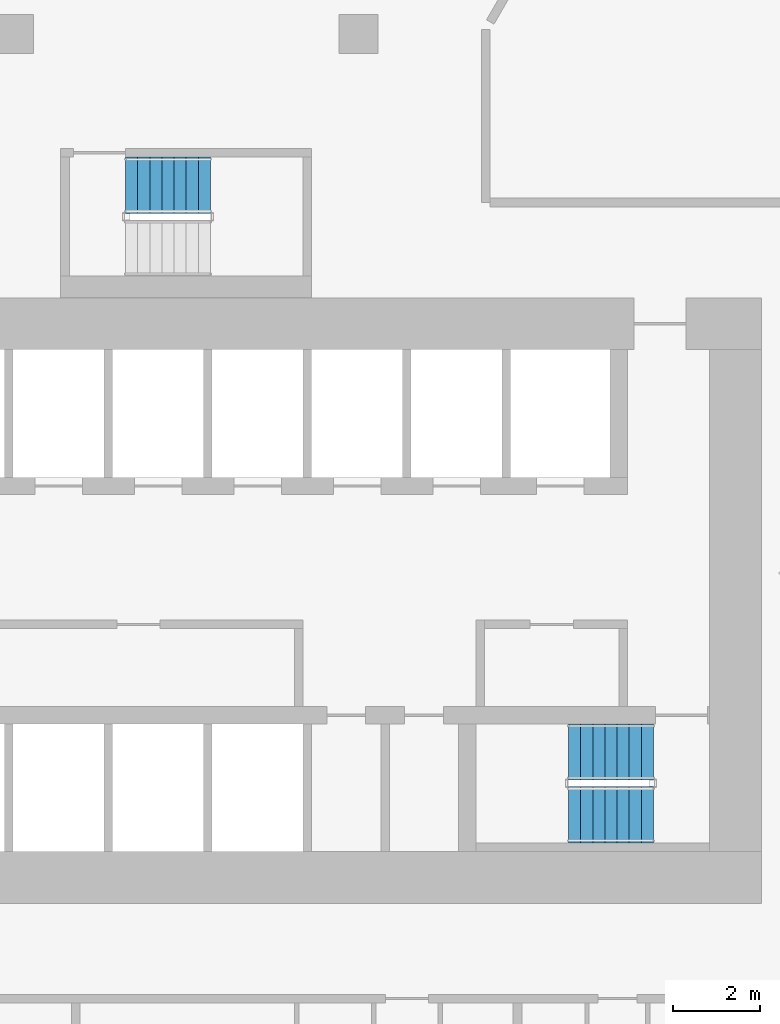
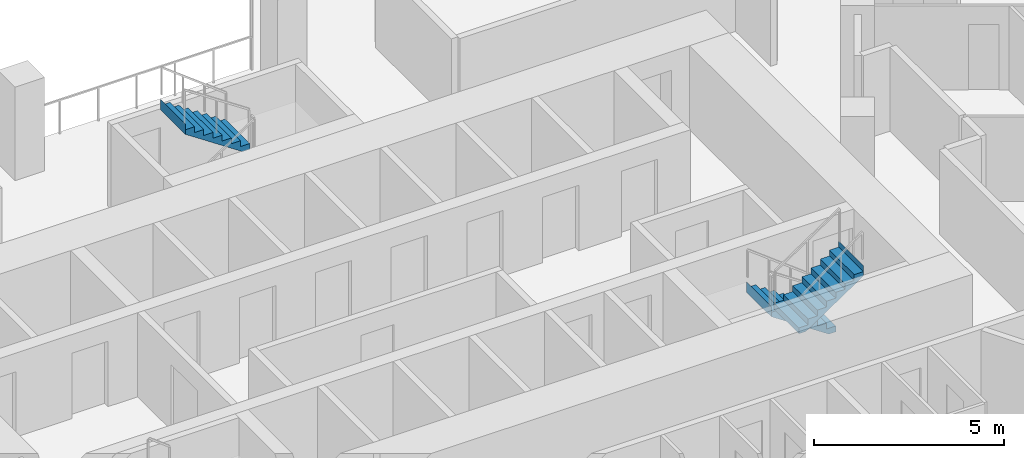
# One storey, part 12 of 16: 3 stair flights, 2 elements without a shape of their own.
"""IFC4 building model written with IfcOpenShell, lengths in metres."""

from ifc_helpers import new_model, si_unit, direction, frame, origin, place, context, subcontext, project, spatial, triangles, material, type_object, element, aggregate, save


model = new_model("IFC4")

# Units and contexts
model_context = context("Model", 3, precision=1e-05, world=origin(), true_north=direction((0.0, 1.0)))
body_context = subcontext(model_context, "Body", "Model", "MODEL_VIEW")
ifc_project = project(units=[si_unit("LENGTHUNIT", "METRE"), si_unit("AREAUNIT", "SQUARE_METRE"), si_unit("VOLUMEUNIT", "CUBIC_METRE"), si_unit("PLANEANGLEUNIT", "RADIAN"), si_unit("MASSUNIT", "GRAM", prefix="KILO")], contexts=[model_context])

# Site, building, storey
site_placement = place(None, origin())
site = spatial("IfcSite", under=ifc_project, at=site_placement, CompositionType="ELEMENT")
building_placement = place(site_placement, origin())
building = spatial("IfcBuilding", under=site, at=building_placement, Name="Beryl Residences", CompositionType="ELEMENT")
storey_placement = place(building_placement, frame((0.0, 0.0, 50.39990234375)))
storey = spatial("IfcBuildingStorey", under=building, at=storey_placement, Name="L15", CompositionType="ELEMENT", Elevation=50.39990234375)

# Stair, stair flights
ifc_material_1 = material(Name="Concrete C40/50", Category="concrete")
stair_type = type_object("IfcStairType", Name="ST1 protected exit stair, half-turn, 1300 mm flights", PredefinedType="HALF_TURN_STAIR", material=ifc_material_1)
stair_1_placement = place(storey_placement, origin())
stair_1 = element("IfcStair", 1, at=stair_1_placement, inside=storey, type_object=stair_type, Name="L15 PROTECTED EXIT STAIR ST-3", PredefinedType="HALF_TURN_STAIR")
ifc_material_2 = material(Name="Concrete C40/50", Category="concrete")
stair_flight_type = type_object("IfcStairFlightType", Name="SF1 stair flight 1300 mm", PredefinedType="STRAIGHT", material=ifc_material_2)
stair_flight_1_placement = place(storey_placement, frame((10.800048828125, -15.5, 0.0), z_axis=(0.0, 0.0, 1.0), x_axis=(-1.0, 0.0, 0.0)))
stair_flight_1 = element("IfcStairFlight", 2, at=stair_flight_1_placement, type_object=stair_flight_type, Name="ST-3 flight 1", NumberOfRisers=8, NumberOfTreads=7, PredefinedType="STRAIGHT", RiserHeight=0.1875, TreadLength=0.28, context=body_context, shape_type="Tessellation", body=[
    triangles([(0.0, -0.64990234375, 0.0), (0.0, -0.324951171875, 0.0), (0.0, 0.0, 0.0), (0.0, 0.324951171875, 0.0), (0.0, 0.64990234375, 0.0), (0.0, -0.64990234375, 0.1875), (0.0, -0.324951171875, 0.1875), (0.0, 0.0, 0.1875), (0.0, 0.324951171875, 0.1875), (0.0, 0.64990234375, 0.1875), (0.280029296875, -0.64990234375, 0.1875), (0.280029296875, -0.324951171875, 0.1875), (0.280029296875, 0.0, 0.1875), (0.280029296875, 0.324951171875, 0.1875), (0.280029296875, 0.64990234375, 0.1875), (0.280029296875, -0.64990234375, 0.375), (0.280029296875, -0.324951171875, 0.375), (0.280029296875, 0.0, 0.375), (0.280029296875, 0.324951171875, 0.375), (0.280029296875, 0.64990234375, 0.375), (0.56005859375, -0.64990234375, 0.375), (0.56005859375, -0.324951171875, 0.375), (0.56005859375, 0.0, 0.375), (0.56005859375, 0.324951171875, 0.375), (0.56005859375, 0.64990234375, 0.375), (0.56005859375, -0.64990234375, 0.5625), (0.56005859375, -0.324951171875, 0.5625), (0.56005859375, 0.0, 0.5625), (0.56005859375, 0.324951171875, 0.5625), (0.56005859375, 0.64990234375, 0.5625), (0.840087890625, -0.64990234375, 0.5625), (0.840087890625, -0.324951171875, 0.5625), (0.840087890625, 0.0, 0.5625), (0.840087890625, 0.324951171875, 0.5625), (0.840087890625, 0.64990234375, 0.5625), (0.840087890625, -0.64990234375, 0.75), (0.840087890625, -0.324951171875, 0.75), (0.840087890625, 0.0, 0.75), (0.840087890625, 0.324951171875, 0.75), (0.840087890625, 0.64990234375, 0.75), (1.1201171875, -0.64990234375, 0.75), (1.1201171875, -0.324951171875, 0.75), (1.1201171875, 0.0, 0.75), (1.1201171875, 0.324951171875, 0.75), (1.1201171875, 0.64990234375, 0.75), (1.1201171875, -0.64990234375, 0.9375), (1.1201171875, -0.324951171875, 0.9375), (1.1201171875, 0.0, 0.9375), (1.1201171875, 0.324951171875, 0.9375), (1.1201171875, 0.64990234375, 0.9375), (1.39990234375, -0.64990234375, 0.9375), (1.39990234375, -0.324951171875, 0.9375), (1.39990234375, 0.0, 0.9375), (1.39990234375, 0.324951171875, 0.9375), (1.39990234375, 0.64990234375, 0.9375), (1.39990234375, -0.64990234375, 1.125), (1.39990234375, -0.324951171875, 1.125), (1.39990234375, 0.0, 1.125), (1.39990234375, 0.324951171875, 1.125), (1.39990234375, 0.64990234375, 1.125), (1.679931640625, -0.64990234375, 1.125), (1.679931640625, -0.324951171875, 1.125), (1.679931640625, 0.0, 1.125), (1.679931640625, 0.324951171875, 1.125), (1.679931640625, 0.64990234375, 1.125), (1.679931640625, -0.64990234375, 1.3125), (1.679931640625, -0.324951171875, 1.3125), (1.679931640625, 0.0, 1.3125), (1.679931640625, 0.324951171875, 1.3125), (1.679931640625, 0.64990234375, 1.3125), (1.9599609375, -0.64990234375, 1.3125), (1.9599609375, -0.324951171875, 1.3125), (1.9599609375, 0.0, 1.3125), (1.9599609375, 0.324951171875, 1.3125), (1.9599609375, 0.64990234375, 1.3125), (1.9599609375, -0.64990234375, 1.5), (1.9599609375, -0.324951171875, 1.5), (1.9599609375, 0.0, 1.5), (1.9599609375, 0.324951171875, 1.5), (1.9599609375, 0.64990234375, 1.5), (1.9609375, -0.64990234375, 1.5), (1.9609375, -0.324951171875, 1.5), (1.9609375, 0.0, 1.5), (1.9609375, 0.324951171875, 1.5), (1.9609375, 0.64990234375, 1.5), (1.9609375, -0.64990234375, 1.16796875), (1.9609375, -0.324951171875, 1.16796875), (1.9609375, 0.0, 1.16796875), (1.9609375, 0.324951171875, 1.16796875), (1.9609375, 0.64990234375, 1.16796875), (0.216796875, -0.64990234375, 0.0), (0.216796875, -0.324951171875, 0.0), (0.216796875, 0.0, 0.0), (0.216796875, 0.324951171875, 0.0), (0.216796875, 0.64990234375, 0.0)], [[1, 6, 7], [1, 7, 2], [2, 7, 8], [2, 8, 3], [3, 8, 9], [3, 9, 4], [4, 9, 10], [4, 10, 5], [6, 11, 12], [6, 12, 7], [7, 12, 13], [7, 13, 8], [8, 13, 14], [8, 14, 9], [9, 14, 15], [9, 15, 10], [11, 16, 17], [11, 17, 12], [12, 17, 18], [12, 18, 13], [13, 18, 19], [13, 19, 14], [14, 19, 20], [14, 20, 15], [16, 21, 22], [16, 22, 17], [17, 22, 23], [17, 23, 18], [18, 23, 24], [18, 24, 19], [19, 24, 25], [19, 25, 20], [21, 26, 27], [21, 27, 22], [22, 27, 28], [22, 28, 23], [23, 28, 29], [23, 29, 24], [24, 29, 30], [24, 30, 25], [26, 31, 32], [26, 32, 27], [27, 32, 33], [27, 33, 28], [28, 33, 34], [28, 34, 29], [29, 34, 35], [29, 35, 30], [31, 36, 37], [31, 37, 32], [32, 37, 38], [32, 38, 33], [33, 38, 39], [33, 39, 34], [34, 39, 40], [34, 40, 35], [36, 41, 42], [36, 42, 37], [37, 42, 43], [37, 43, 38], [38, 43, 44], [38, 44, 39], [39, 44, 45], [39, 45, 40], [41, 46, 47], [41, 47, 42], [42, 47, 48], [42, 48, 43], [43, 48, 49], [43, 49, 44], [44, 49, 50], [44, 50, 45], [46, 51, 52], [46, 52, 47], [47, 52, 53], [47, 53, 48], [48, 53, 54], [48, 54, 49], [49, 54, 55], [49, 55, 50], [51, 56, 57], [51, 57, 52], [52, 57, 58], [52, 58, 53], [53, 58, 59], [53, 59, 54], [54, 59, 60], [54, 60, 55], [56, 61, 62], [56, 62, 57], [57, 62, 63], [57, 63, 58], [58, 63, 64], [58, 64, 59], [59, 64, 65], [59, 65, 60], [61, 66, 67], [61, 67, 62], [62, 67, 68], [62, 68, 63], [63, 68, 69], [63, 69, 64], [64, 69, 70], [64, 70, 65], [66, 71, 72], [66, 72, 67], [67, 72, 73], [67, 73, 68], [68, 73, 74], [68, 74, 69], [69, 74, 75], [69, 75, 70], [71, 76, 77], [71, 77, 72], [72, 77, 78], [72, 78, 73], [73, 78, 79], [73, 79, 74], [74, 79, 80], [74, 80, 75], [76, 81, 82], [76, 82, 77], [77, 82, 83], [77, 83, 78], [78, 83, 84], [78, 84, 79], [79, 84, 85], [79, 85, 80], [81, 86, 87], [81, 87, 82], [82, 87, 88], [82, 88, 83], [83, 88, 89], [83, 89, 84], [84, 89, 90], [84, 90, 85], [86, 91, 92], [86, 92, 87], [87, 92, 93], [87, 93, 88], [88, 93, 94], [88, 94, 89], [89, 94, 95], [89, 95, 90], [91, 1, 2], [91, 2, 92], [92, 2, 3], [92, 3, 93], [93, 3, 4], [93, 4, 94], [94, 4, 5], [94, 5, 95], [1, 91, 86], [5, 90, 95], [86, 81, 76], [90, 80, 85], [86, 76, 71], [90, 75, 80], [86, 71, 66], [90, 70, 75], [86, 66, 61], [90, 65, 70], [61, 56, 51], [65, 55, 60], [86, 61, 51], [90, 55, 65], [51, 46, 41], [55, 45, 50], [86, 51, 41], [90, 45, 55], [41, 36, 31], [45, 35, 40], [86, 41, 31], [90, 35, 45], [31, 26, 21], [35, 25, 30], [86, 31, 21], [90, 25, 35], [21, 16, 11], [25, 15, 20], [86, 21, 11], [90, 15, 25], [1, 86, 11], [5, 15, 90], [11, 6, 1], [15, 5, 10]], closed=True),
])
stair_flight_2_placement = place(storey_placement, frame((8.840087890625, -16.949951171875, 1.5), z_axis=(0.0, 0.0, 1.0), x_axis=(1.0, 0.0, 0.0)))
stair_flight_2 = element("IfcStairFlight", 3, at=stair_flight_2_placement, type_object=stair_flight_type, Name="ST-3 flight 2", NumberOfRisers=8, NumberOfTreads=7, PredefinedType="STRAIGHT", RiserHeight=0.1875, TreadLength=0.28, context=body_context, shape_type="Tessellation", body=[
    triangles([(0.0, -0.64990234375, 0.0), (0.0, -0.324951171875, 0.0), (0.0, 0.0, 0.0), (0.0, 0.324951171875, 0.0), (0.0, 0.64990234375, 0.0), (0.0, -0.64990234375, 0.1875), (0.0, -0.324951171875, 0.1875), (0.0, 0.0, 0.1875), (0.0, 0.324951171875, 0.1875), (0.0, 0.64990234375, 0.1875), (0.280029296875, -0.64990234375, 0.1875), (0.280029296875, -0.324951171875, 0.1875), (0.280029296875, 0.0, 0.1875), (0.280029296875, 0.324951171875, 0.1875), (0.280029296875, 0.64990234375, 0.1875), (0.280029296875, -0.64990234375, 0.375), (0.280029296875, -0.324951171875, 0.375), (0.280029296875, 0.0, 0.375), (0.280029296875, 0.324951171875, 0.375), (0.280029296875, 0.64990234375, 0.375), (0.56005859375, -0.64990234375, 0.375), (0.56005859375, -0.324951171875, 0.375), (0.56005859375, 0.0, 0.375), (0.56005859375, 0.324951171875, 0.375), (0.56005859375, 0.64990234375, 0.375), (0.56005859375, -0.64990234375, 0.5625), (0.56005859375, -0.324951171875, 0.5625), (0.56005859375, 0.0, 0.5625), (0.56005859375, 0.324951171875, 0.5625), (0.56005859375, 0.64990234375, 0.5625), (0.840087890625, -0.64990234375, 0.5625), (0.840087890625, -0.324951171875, 0.5625), (0.840087890625, 0.0, 0.5625), (0.840087890625, 0.324951171875, 0.5625), (0.840087890625, 0.64990234375, 0.5625), (0.840087890625, -0.64990234375, 0.75), (0.840087890625, -0.324951171875, 0.75), (0.840087890625, 0.0, 0.75), (0.840087890625, 0.324951171875, 0.75), (0.840087890625, 0.64990234375, 0.75), (1.1201171875, -0.64990234375, 0.75), (1.1201171875, -0.324951171875, 0.75), (1.1201171875, 0.0, 0.75), (1.1201171875, 0.324951171875, 0.75), (1.1201171875, 0.64990234375, 0.75), (1.1201171875, -0.64990234375, 0.9375), (1.1201171875, -0.324951171875, 0.9375), (1.1201171875, 0.0, 0.9375), (1.1201171875, 0.324951171875, 0.9375), (1.1201171875, 0.64990234375, 0.9375), (1.39990234375, -0.64990234375, 0.9375), (1.39990234375, -0.324951171875, 0.9375), (1.39990234375, 0.0, 0.9375), (1.39990234375, 0.324951171875, 0.9375), (1.39990234375, 0.64990234375, 0.9375), (1.39990234375, -0.64990234375, 1.125), (1.39990234375, -0.324951171875, 1.125), (1.39990234375, 0.0, 1.125), (1.39990234375, 0.324951171875, 1.125), (1.39990234375, 0.64990234375, 1.125), (1.679931640625, -0.64990234375, 1.125), (1.679931640625, -0.324951171875, 1.125), (1.679931640625, 0.0, 1.125), (1.679931640625, 0.324951171875, 1.125), (1.679931640625, 0.64990234375, 1.125), (1.679931640625, -0.64990234375, 1.3125), (1.679931640625, -0.324951171875, 1.3125), (1.679931640625, 0.0, 1.3125), (1.679931640625, 0.324951171875, 1.3125), (1.679931640625, 0.64990234375, 1.3125), (1.9599609375, -0.64990234375, 1.3125), (1.9599609375, -0.324951171875, 1.3125), (1.9599609375, 0.0, 1.3125), (1.9599609375, 0.324951171875, 1.3125), (1.9599609375, 0.64990234375, 1.3125), (1.9599609375, -0.64990234375, 1.5), (1.9599609375, -0.324951171875, 1.5), (1.9599609375, 0.0, 1.5), (1.9599609375, 0.324951171875, 1.5), (1.9599609375, 0.64990234375, 1.5), (1.9609375, -0.64990234375, 1.5), (1.9609375, -0.324951171875, 1.5), (1.9609375, 0.0, 1.5), (1.9609375, 0.324951171875, 1.5), (1.9609375, 0.64990234375, 1.5), (1.9609375, -0.64990234375, 1.16796875), (1.9609375, -0.324951171875, 1.16796875), (1.9609375, 0.0, 1.16796875), (1.9609375, 0.324951171875, 1.16796875), (1.9609375, 0.64990234375, 1.16796875), (0.216796875, -0.64990234375, 0.0), (0.216796875, -0.324951171875, 0.0), (0.216796875, 0.0, 0.0), (0.216796875, 0.324951171875, 0.0), (0.216796875, 0.64990234375, 0.0)], [[1, 6, 7], [1, 7, 2], [2, 7, 8], [2, 8, 3], [3, 8, 9], [3, 9, 4], [4, 9, 10], [4, 10, 5], [6, 11, 12], [6, 12, 7], [7, 12, 13], [7, 13, 8], [8, 13, 14], [8, 14, 9], [9, 14, 15], [9, 15, 10], [11, 16, 17], [11, 17, 12], [12, 17, 18], [12, 18, 13], [13, 18, 19], [13, 19, 14], [14, 19, 20], [14, 20, 15], [16, 21, 22], [16, 22, 17], [17, 22, 23], [17, 23, 18], [18, 23, 24], [18, 24, 19], [19, 24, 25], [19, 25, 20], [21, 26, 27], [21, 27, 22], [22, 27, 28], [22, 28, 23], [23, 28, 29], [23, 29, 24], [24, 29, 30], [24, 30, 25], [26, 31, 32], [26, 32, 27], [27, 32, 33], [27, 33, 28], [28, 33, 34], [28, 34, 29], [29, 34, 35], [29, 35, 30], [31, 36, 37], [31, 37, 32], [32, 37, 38], [32, 38, 33], [33, 38, 39], [33, 39, 34], [34, 39, 40], [34, 40, 35], [36, 41, 42], [36, 42, 37], [37, 42, 43], [37, 43, 38], [38, 43, 44], [38, 44, 39], [39, 44, 45], [39, 45, 40], [41, 46, 47], [41, 47, 42], [42, 47, 48], [42, 48, 43], [43, 48, 49], [43, 49, 44], [44, 49, 50], [44, 50, 45], [46, 51, 52], [46, 52, 47], [47, 52, 53], [47, 53, 48], [48, 53, 54], [48, 54, 49], [49, 54, 55], [49, 55, 50], [51, 56, 57], [51, 57, 52], [52, 57, 58], [52, 58, 53], [53, 58, 59], [53, 59, 54], [54, 59, 60], [54, 60, 55], [56, 61, 62], [56, 62, 57], [57, 62, 63], [57, 63, 58], [58, 63, 64], [58, 64, 59], [59, 64, 65], [59, 65, 60], [61, 66, 67], [61, 67, 62], [62, 67, 68], [62, 68, 63], [63, 68, 69], [63, 69, 64], [64, 69, 70], [64, 70, 65], [66, 71, 72], [66, 72, 67], [67, 72, 73], [67, 73, 68], [68, 73, 74], [68, 74, 69], [69, 74, 75], [69, 75, 70], [71, 76, 77], [71, 77, 72], [72, 77, 78], [72, 78, 73], [73, 78, 79], [73, 79, 74], [74, 79, 80], [74, 80, 75], [76, 81, 82], [76, 82, 77], [77, 82, 83], [77, 83, 78], [78, 83, 84], [78, 84, 79], [79, 84, 85], [79, 85, 80], [81, 86, 87], [81, 87, 82], [82, 87, 88], [82, 88, 83], [83, 88, 89], [83, 89, 84], [84, 89, 90], [84, 90, 85], [86, 91, 92], [86, 92, 87], [87, 92, 93], [87, 93, 88], [88, 93, 94], [88, 94, 89], [89, 94, 95], [89, 95, 90], [91, 1, 2], [91, 2, 92], [92, 2, 3], [92, 3, 93], [93, 3, 4], [93, 4, 94], [94, 4, 5], [94, 5, 95], [1, 91, 86], [5, 90, 95], [86, 81, 76], [90, 80, 85], [86, 76, 71], [90, 75, 80], [86, 71, 66], [90, 70, 75], [86, 66, 61], [90, 65, 70], [61, 56, 51], [65, 55, 60], [86, 61, 51], [90, 55, 65], [51, 46, 41], [55, 45, 50], [86, 51, 41], [90, 45, 55], [41, 36, 31], [45, 35, 40], [86, 41, 31], [90, 35, 45], [31, 26, 21], [35, 25, 30], [86, 31, 21], [90, 25, 35], [21, 16, 11], [25, 15, 20], [86, 21, 11], [90, 15, 25], [1, 86, 11], [5, 15, 90], [11, 6, 1], [15, 5, 10]], closed=True),
])
aggregate(stair_1, [stair_flight_1, stair_flight_2])

# Stair, stair flight
stair_2_placement = place(storey_placement, origin())
stair_2 = element("IfcStair", 4, at=stair_2_placement, inside=storey, type_object=stair_type, Name="L15 PROTECTED EXIT STAIR ST-4", PredefinedType="HALF_TURN_STAIR")
stair_flight_3_placement = place(storey_placement, frame((0.56005859375, -2.39990234375, 1.5), z_axis=(0.0, 0.0, 1.0), x_axis=(-1.0, 0.0, 0.0)))
stair_flight_3 = element("IfcStairFlight", 5, at=stair_flight_3_placement, type_object=stair_flight_type, Name="ST-4 flight 2", NumberOfRisers=8, NumberOfTreads=7, PredefinedType="STRAIGHT", RiserHeight=0.1875, TreadLength=0.28, context=body_context, shape_type="Tessellation", body=[
    triangles([(0.0, -0.64990234375, 0.0), (0.0, -0.324951171875, 0.0), (0.0, 0.0, 0.0), (0.0, 0.324951171875, 0.0), (0.0, 0.64990234375, 0.0), (0.0, -0.64990234375, 0.1875), (0.0, -0.324951171875, 0.1875), (0.0, 0.0, 0.1875), (0.0, 0.324951171875, 0.1875), (0.0, 0.64990234375, 0.1875), (0.280029296875, -0.64990234375, 0.1875), (0.280029296875, -0.324951171875, 0.1875), (0.280029296875, 0.0, 0.1875), (0.280029296875, 0.324951171875, 0.1875), (0.280029296875, 0.64990234375, 0.1875), (0.280029296875, -0.64990234375, 0.375), (0.280029296875, -0.324951171875, 0.375), (0.280029296875, 0.0, 0.375), (0.280029296875, 0.324951171875, 0.375), (0.280029296875, 0.64990234375, 0.375), (0.56005859375, -0.64990234375, 0.375), (0.56005859375, -0.324951171875, 0.375), (0.56005859375, 0.0, 0.375), (0.56005859375, 0.324951171875, 0.375), (0.56005859375, 0.64990234375, 0.375), (0.56005859375, -0.64990234375, 0.5625), (0.56005859375, -0.324951171875, 0.5625), (0.56005859375, 0.0, 0.5625), (0.56005859375, 0.324951171875, 0.5625), (0.56005859375, 0.64990234375, 0.5625), (0.840087890625, -0.64990234375, 0.5625), (0.840087890625, -0.324951171875, 0.5625), (0.840087890625, 0.0, 0.5625), (0.840087890625, 0.324951171875, 0.5625), (0.840087890625, 0.64990234375, 0.5625), (0.840087890625, -0.64990234375, 0.75), (0.840087890625, -0.324951171875, 0.75), (0.840087890625, 0.0, 0.75), (0.840087890625, 0.324951171875, 0.75), (0.840087890625, 0.64990234375, 0.75), (1.1201171875, -0.64990234375, 0.75), (1.1201171875, -0.324951171875, 0.75), (1.1201171875, 0.0, 0.75), (1.1201171875, 0.324951171875, 0.75), (1.1201171875, 0.64990234375, 0.75), (1.1201171875, -0.64990234375, 0.9375), (1.1201171875, -0.324951171875, 0.9375), (1.1201171875, 0.0, 0.9375), (1.1201171875, 0.324951171875, 0.9375), (1.1201171875, 0.64990234375, 0.9375), (1.39990234375, -0.64990234375, 0.9375), (1.39990234375, -0.324951171875, 0.9375), (1.39990234375, 0.0, 0.9375), (1.39990234375, 0.324951171875, 0.9375), (1.39990234375, 0.64990234375, 0.9375), (1.39990234375, -0.64990234375, 1.125), (1.39990234375, -0.324951171875, 1.125), (1.39990234375, 0.0, 1.125), (1.39990234375, 0.324951171875, 1.125), (1.39990234375, 0.64990234375, 1.125), (1.679931640625, -0.64990234375, 1.125), (1.679931640625, -0.324951171875, 1.125), (1.679931640625, 0.0, 1.125), (1.679931640625, 0.324951171875, 1.125), (1.679931640625, 0.64990234375, 1.125), (1.679931640625, -0.64990234375, 1.3125), (1.679931640625, -0.324951171875, 1.3125), (1.679931640625, 0.0, 1.3125), (1.679931640625, 0.324951171875, 1.3125), (1.679931640625, 0.64990234375, 1.3125), (1.9599609375, -0.64990234375, 1.3125), (1.9599609375, -0.324951171875, 1.3125), (1.9599609375, 0.0, 1.3125), (1.9599609375, 0.324951171875, 1.3125), (1.9599609375, 0.64990234375, 1.3125), (1.9599609375, -0.64990234375, 1.5), (1.9599609375, -0.324951171875, 1.5), (1.9599609375, 0.0, 1.5), (1.9599609375, 0.324951171875, 1.5), (1.9599609375, 0.64990234375, 1.5), (1.9609375, -0.64990234375, 1.5), (1.9609375, -0.324951171875, 1.5), (1.9609375, 0.0, 1.5), (1.9609375, 0.324951171875, 1.5), (1.9609375, 0.64990234375, 1.5), (1.9609375, -0.64990234375, 1.16796875), (1.9609375, -0.324951171875, 1.16796875), (1.9609375, 0.0, 1.16796875), (1.9609375, 0.324951171875, 1.16796875), (1.9609375, 0.64990234375, 1.16796875), (0.216796875, -0.64990234375, 0.0), (0.216796875, -0.324951171875, 0.0), (0.216796875, 0.0, 0.0), (0.216796875, 0.324951171875, 0.0), (0.216796875, 0.64990234375, 0.0)], [[1, 6, 7], [1, 7, 2], [2, 7, 8], [2, 8, 3], [3, 8, 9], [3, 9, 4], [4, 9, 10], [4, 10, 5], [6, 11, 12], [6, 12, 7], [7, 12, 13], [7, 13, 8], [8, 13, 14], [8, 14, 9], [9, 14, 15], [9, 15, 10], [11, 16, 17], [11, 17, 12], [12, 17, 18], [12, 18, 13], [13, 18, 19], [13, 19, 14], [14, 19, 20], [14, 20, 15], [16, 21, 22], [16, 22, 17], [17, 22, 23], [17, 23, 18], [18, 23, 24], [18, 24, 19], [19, 24, 25], [19, 25, 20], [21, 26, 27], [21, 27, 22], [22, 27, 28], [22, 28, 23], [23, 28, 29], [23, 29, 24], [24, 29, 30], [24, 30, 25], [26, 31, 32], [26, 32, 27], [27, 32, 33], [27, 33, 28], [28, 33, 34], [28, 34, 29], [29, 34, 35], [29, 35, 30], [31, 36, 37], [31, 37, 32], [32, 37, 38], [32, 38, 33], [33, 38, 39], [33, 39, 34], [34, 39, 40], [34, 40, 35], [36, 41, 42], [36, 42, 37], [37, 42, 43], [37, 43, 38], [38, 43, 44], [38, 44, 39], [39, 44, 45], [39, 45, 40], [41, 46, 47], [41, 47, 42], [42, 47, 48], [42, 48, 43], [43, 48, 49], [43, 49, 44], [44, 49, 50], [44, 50, 45], [46, 51, 52], [46, 52, 47], [47, 52, 53], [47, 53, 48], [48, 53, 54], [48, 54, 49], [49, 54, 55], [49, 55, 50], [51, 56, 57], [51, 57, 52], [52, 57, 58], [52, 58, 53], [53, 58, 59], [53, 59, 54], [54, 59, 60], [54, 60, 55], [56, 61, 62], [56, 62, 57], [57, 62, 63], [57, 63, 58], [58, 63, 64], [58, 64, 59], [59, 64, 65], [59, 65, 60], [61, 66, 67], [61, 67, 62], [62, 67, 68], [62, 68, 63], [63, 68, 69], [63, 69, 64], [64, 69, 70], [64, 70, 65], [66, 71, 72], [66, 72, 67], [67, 72, 73], [67, 73, 68], [68, 73, 74], [68, 74, 69], [69, 74, 75], [69, 75, 70], [71, 76, 77], [71, 77, 72], [72, 77, 78], [72, 78, 73], [73, 78, 79], [73, 79, 74], [74, 79, 80], [74, 80, 75], [76, 81, 82], [76, 82, 77], [77, 82, 83], [77, 83, 78], [78, 83, 84], [78, 84, 79], [79, 84, 85], [79, 85, 80], [81, 86, 87], [81, 87, 82], [82, 87, 88], [82, 88, 83], [83, 88, 89], [83, 89, 84], [84, 89, 90], [84, 90, 85], [86, 91, 92], [86, 92, 87], [87, 92, 93], [87, 93, 88], [88, 93, 94], [88, 94, 89], [89, 94, 95], [89, 95, 90], [91, 1, 2], [91, 2, 92], [92, 2, 3], [92, 3, 93], [93, 3, 4], [93, 4, 94], [94, 4, 5], [94, 5, 95], [1, 91, 86], [5, 90, 95], [86, 81, 76], [90, 80, 85], [86, 76, 71], [90, 75, 80], [86, 71, 66], [90, 70, 75], [86, 66, 61], [90, 65, 70], [61, 56, 51], [65, 55, 60], [86, 61, 51], [90, 55, 65], [51, 46, 41], [55, 45, 50], [86, 51, 41], [90, 45, 55], [41, 36, 31], [45, 35, 40], [86, 41, 31], [90, 35, 45], [31, 26, 21], [35, 25, 30], [86, 31, 21], [90, 25, 35], [21, 16, 11], [25, 15, 20], [86, 21, 11], [90, 15, 25], [1, 86, 11], [5, 15, 90], [11, 6, 1], [15, 5, 10]], closed=True),
])
aggregate(stair_2, [stair_flight_3])

save(model, "model.ifc")
